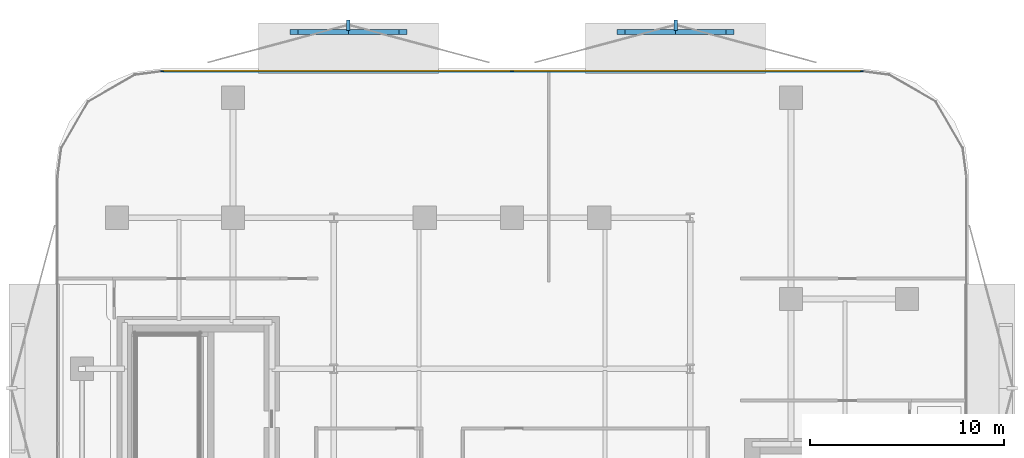
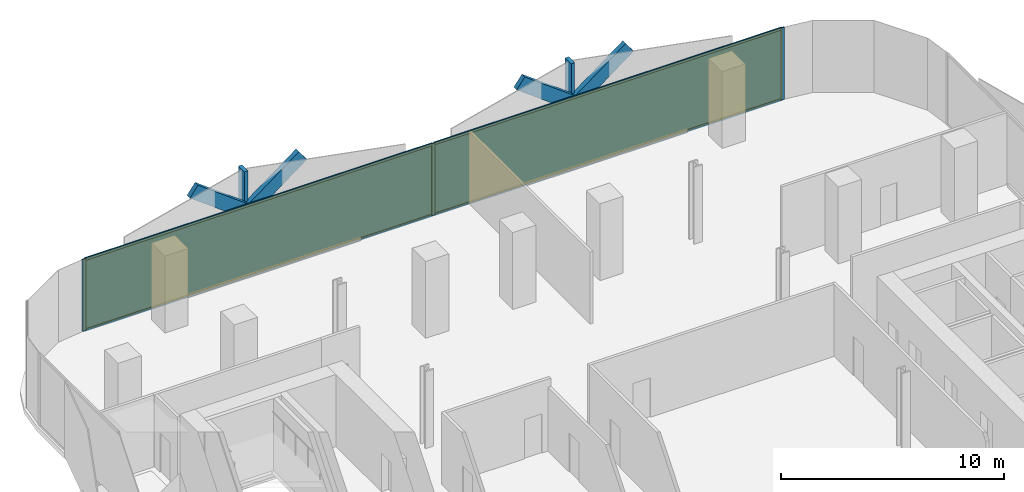
# One storey, part 10 of 16: 13 members, 2 plates, 1 curtain wall.
"""IFC4 building model written with IfcOpenShell, lengths in metres."""

from ifc_helpers import new_model, si_unit, direction, frame, frame_2d, origin, origin_2d, place, context, subcontext, project, spatial, rectangle, extrude, material, layer, layer_set, material_profile, profile_set, type_object, element, aggregate, save


model = new_model("IFC4")

# Units and contexts
model_context = context("Model", 3, precision=1e-05, world=origin(), true_north=direction((0.0, 1.0)))
body_context = subcontext(model_context, "Body", "Model", "MODEL_VIEW")
ifc_project = project(units=[si_unit("LENGTHUNIT", "METRE"), si_unit("AREAUNIT", "SQUARE_METRE"), si_unit("VOLUMEUNIT", "CUBIC_METRE"), si_unit("PLANEANGLEUNIT", "RADIAN"), si_unit("MASSUNIT", "GRAM", prefix="KILO")], contexts=[model_context])

# Member
ifc_material_1 = material(Name="Anodised Bronze Aluminium 6063-T6", Category="aluminium")
ifc_material_profile_1 = material_profile(ifc_material_1, rectangle(XDim=0.260009765625, YDim=0.699951171875, at=origin_2d()))
ifc_profile_set_1 = profile_set([ifc_material_profile_1], Name="Anodised Bronze Aluminium 6063-T6")
member_type_1 = type_object("IfcMemberType", Name="Bronze Diamond Solar-Screen Lattice Rib BDL-700", PredefinedType="MULLION", material=ifc_profile_set_1)
site_placement = place(None, origin())
building_placement = place(site_placement, origin())
storey_placement = place(building_placement, frame((0.0, 0.0, 97.39990234375)))
member_1_placement = place(storey_placement, frame((-11.260498046875, 28.199951171875, -0.1298828125), z_axis=(0.80154474731, 0.0, 0.597934794154), x_axis=(0.0, 1.0, 0.0)))
member_1 = element("IfcMember", 1, at=member_1_placement, type_object=member_type_1, Name="L22 Bronze Diamond Solar Screen Lattice Rib 125A", PredefinedType="MULLION", context=body_context, shape_type="SweptSolid", body=[
    extrude(rectangle(XDim=0.260009765625, YDim=0.699951171875, at=origin_2d()), origin(), (0.0, 0.0, 1.0), 7.024169921875),
])

member_2_placement = place(storey_placement, frame((-5.63037109375, 28.199951171875, -0.1298828125), z_axis=(-0.80154474731, 0.0, 0.597934794154), x_axis=(0.0, -1.0, 0.0)))
member_2 = element("IfcMember", 2, at=member_2_placement, type_object=member_type_1, Name="L22 Bronze Diamond Solar Screen Lattice Rib 125B", PredefinedType="MULLION", context=body_context, shape_type="SweptSolid", body=[
    extrude(rectangle(XDim=0.260009765625, YDim=0.699951171875, at=origin_2d()), origin(), (0.0, 0.0, 1.0), 7.024169921875),
])

member_3_placement = place(storey_placement, frame((5.63037109375, 28.199951171875, -0.1298828125), z_axis=(0.80154474731, 0.0, 0.597934794154), x_axis=(0.0, 1.0, 0.0)))
member_3 = element("IfcMember", 3, at=member_3_placement, type_object=member_type_1, Name="L22 Bronze Diamond Solar Screen Lattice Rib 126A", PredefinedType="MULLION", context=body_context, shape_type="SweptSolid", body=[
    extrude(rectangle(XDim=0.260009765625, YDim=0.699951171875, at=origin_2d()), origin(), (0.0, 0.0, 1.0), 7.024169921875),
])

member_4_placement = place(storey_placement, frame((11.260498046875, 28.199951171875, -0.1298828125), z_axis=(-0.80154474731, 0.0, 0.597934794154), x_axis=(0.0, -1.0, 0.0)))
member_4 = element("IfcMember", 4, at=member_4_placement, type_object=member_type_1, Name="L22 Bronze Diamond Solar Screen Lattice Rib 126B", PredefinedType="MULLION", context=body_context, shape_type="SweptSolid", body=[
    extrude(rectangle(XDim=0.260009765625, YDim=0.699951171875, at=origin_2d()), origin(), (0.0, 0.0, 1.0), 7.024169921875),
])

ifc_material_2 = material(Name="Anodised Bronze Aluminium 6063-T6", Category="aluminium")
ifc_material_profile_2 = material_profile(ifc_material_2, rectangle(XDim=0.179931640625, YDim=0.5400390625, at=origin_2d()))
ifc_profile_set_2 = profile_set([ifc_material_profile_2], Name="Anodised Bronze Aluminium 6063-T6")
member_type_2 = type_object("IfcMemberType", Name="Bronze Solar-Screen Vertical Fold Fin BSF-540", PredefinedType="MULLION", material=ifc_profile_set_2)
member_5_placement = place(storey_placement, frame((-8.4453125, 28.5400390625, -0.1298828125), z_axis=(0.0, 0.0, 1.0), x_axis=(1.0, 0.0, 0.0)))
member_5 = element("IfcMember", 5, at=member_5_placement, type_object=member_type_2, Name="L22 Bronze Solar Screen Vertical Fin 125", PredefinedType="MULLION", context=body_context, shape_type="SweptSolid", body=[
    extrude(rectangle(XDim=0.179931640625, YDim=0.5400390625, at=origin_2d()), origin(), (0.0, 0.0, 1.0), 4.199951171875),
])

member_6_placement = place(storey_placement, frame((8.4453125, 28.5400390625, -0.1298828125), z_axis=(0.0, 0.0, 1.0), x_axis=(1.0, 0.0, 0.0)))
member_6 = element("IfcMember", 6, at=member_6_placement, type_object=member_type_2, Name="L22 Bronze Solar Screen Vertical Fin 126", PredefinedType="MULLION", context=body_context, shape_type="SweptSolid", body=[
    extrude(rectangle(XDim=0.179931640625, YDim=0.5400390625, at=origin_2d()), origin(), (0.0, 0.0, 1.0), 4.199951171875),
])

ifc_material_3 = material(Name="Anodised Bronze Aluminium 6063-T6", Category="aluminium")
ifc_material_profile_3 = material_profile(ifc_material_3, rectangle(XDim=0.06494140625, YDim=0.175048828125, at=origin_2d()))
ifc_profile_set_3 = profile_set([ifc_material_profile_3], Name="Anodised Bronze Aluminium 6063-T6")
member_type_3 = type_object("IfcMemberType", Name="CW-Z2 Mullion 65x175", PredefinedType="MULLION", material=ifc_profile_set_3)
member_7_placement = place(storey_placement, frame((-18.058349609375, 26.159912109375, 0.0), z_axis=(0.0, 0.0, 1.0), x_axis=(0.0, 1.0, 0.0)))
member_7 = element("IfcMember", 7, at=member_7_placement, type_object=member_type_3, Name="CW-Z2 mullion 1", PredefinedType="MULLION", context=body_context, shape_type="SweptSolid", body=[
    extrude(rectangle(XDim=0.06494140625, YDim=0.175048828125, at=origin_2d()), origin(), (0.0, 0.0, 1.0), 3.940185546875),
])

member_8_placement = place(storey_placement, frame((0.0, 26.159912109375, 0.0), z_axis=(0.0, 0.0, 1.0), x_axis=(0.0, 1.0, 0.0)))
member_8 = element("IfcMember", 8, at=member_8_placement, type_object=member_type_3, Name="CW-Z2 mullion 2", PredefinedType="MULLION", context=body_context, shape_type="SweptSolid", body=[
    extrude(rectangle(XDim=0.06494140625, YDim=0.175048828125, at=origin_2d()), origin(), (0.0, 0.0, 1.0), 3.940185546875),
])

member_9_placement = place(storey_placement, frame((18.058349609375, 26.159912109375, 0.0), z_axis=(0.0, 0.0, 1.0), x_axis=(0.0, 1.0, 0.0)))
member_9 = element("IfcMember", 9, at=member_9_placement, type_object=member_type_3, Name="CW-Z2 mullion 3", PredefinedType="MULLION", context=body_context, shape_type="SweptSolid", body=[
    extrude(rectangle(XDim=0.06494140625, YDim=0.175048828125, at=origin_2d()), origin(), (0.0, 0.0, 1.0), 3.940185546875),
])

ifc_material_4 = material(Name="Anodised Bronze Aluminium 6063-T6", Category="aluminium")
ifc_material_profile_4 = material_profile(ifc_material_4, rectangle(XDim=0.06494140625, YDim=0.135009765625, at=origin_2d()))
ifc_profile_set_4 = profile_set([ifc_material_profile_4], Name="Anodised Bronze Aluminium 6063-T6")
member_type_4 = type_object("IfcMemberType", Name="CW-Z2 Transom 65x135", PredefinedType="USERDEFINED", material=ifc_profile_set_4)
member_10_placement = place(storey_placement, frame((-18.02587890625, 26.159912109375, 0.03271484375), z_axis=(1.0, 0.0, 0.0), x_axis=(0.0, 1.0, 0.0)))
member_10 = element("IfcMember", 10, at=member_10_placement, type_object=member_type_4, Name="CW-Z2 transom 1.1", ObjectType="TRANSOM", PredefinedType="USERDEFINED", context=body_context, shape_type="SweptSolid", body=[
    extrude(rectangle(XDim=0.06494140625, YDim=0.135009765625, at=origin_2d()), origin(), (0.0, 0.0, 1.0), 17.993408203125),
])

member_11_placement = place(storey_placement, frame((-18.02587890625, 26.159912109375, 3.90771484375), z_axis=(1.0, 0.0, 0.0), x_axis=(0.0, 1.0, 0.0)))
member_11 = element("IfcMember", 11, at=member_11_placement, type_object=member_type_4, Name="CW-Z2 transom 1.2", ObjectType="TRANSOM", PredefinedType="USERDEFINED", context=body_context, shape_type="SweptSolid", body=[
    extrude(rectangle(XDim=0.06494140625, YDim=0.135009765625, at=origin_2d()), origin(), (0.0, 0.0, 1.0), 17.993408203125),
])

member_12_placement = place(storey_placement, frame((0.032470703125, 26.159912109375, 0.03271484375), z_axis=(1.0, 0.0, 0.0), x_axis=(0.0, 1.0, 0.0)))
member_12 = element("IfcMember", 12, at=member_12_placement, type_object=member_type_4, Name="CW-Z2 transom 2.1", ObjectType="TRANSOM", PredefinedType="USERDEFINED", context=body_context, shape_type="SweptSolid", body=[
    extrude(rectangle(XDim=0.06494140625, YDim=0.135009765625, at=origin_2d()), origin(), (0.0, 0.0, 1.0), 17.993408203125),
])

member_13_placement = place(storey_placement, frame((0.032470703125, 26.159912109375, 3.90771484375), z_axis=(1.0, 0.0, 0.0), x_axis=(0.0, 1.0, 0.0)))
member_13 = element("IfcMember", 13, at=member_13_placement, type_object=member_type_4, Name="CW-Z2 transom 2.2", ObjectType="TRANSOM", PredefinedType="USERDEFINED", context=body_context, shape_type="SweptSolid", body=[
    extrude(rectangle(XDim=0.06494140625, YDim=0.135009765625, at=origin_2d()), origin(), (0.0, 0.0, 1.0), 17.993408203125),
])

# Plate
ifc_material_5 = material(Name="Low-E Solar Control Laminated Glass", Category="glass")
ifc_layer_1 = layer(ifc_material_5, 0.028076171875, Name="Low-E Solar Control Laminated Glass")
ifc_layer_set_1 = layer_set([ifc_layer_1], Name="Low-E Solar Control Laminated Glass")
plate_type = type_object("IfcPlateType", Name="CW-Z2 Low-E Double Glazed Panel 28mm", PredefinedType="CURTAIN_PANEL", material=ifc_layer_set_1)
plate_1_placement = place(storey_placement, frame((-9.029052734375, 26.159912109375, 0.065185546875), z_axis=(0.0, 0.0, 1.0), x_axis=(1.0, 0.0, 0.0)))
plate_1 = element("IfcPlate", 14, at=plate_1_placement, type_object=plate_type, Name="CW-Z2 panel 1.1", PredefinedType="CURTAIN_PANEL", context=body_context, shape_type="SweptSolid", body=[
    extrude(rectangle(XDim=17.993408203125, YDim=0.028076171875, at=origin_2d()), origin(), (0.0, 0.0, 1.0), 3.81005859375),
])

plate_2_placement = place(storey_placement, frame((9.029052734375, 26.159912109375, 0.065185546875), z_axis=(0.0, 0.0, 1.0), x_axis=(1.0, 0.0, 0.0)))
plate_2 = element("IfcPlate", 15, at=plate_2_placement, type_object=plate_type, Name="CW-Z2 panel 2.1", PredefinedType="CURTAIN_PANEL", context=body_context, shape_type="SweptSolid", body=[
    extrude(rectangle(XDim=17.993408203125, YDim=0.028076171875, at=origin_2d()), origin(), (0.0, 0.0, 1.0), 3.81005859375),
])

# Site, building, storey
site = spatial("IfcSite", under=ifc_project, at=site_placement, CompositionType="ELEMENT")
building = spatial("IfcBuilding", under=site, at=building_placement, Name="Khairoan Windgate Tower", CompositionType="ELEMENT")
storey = spatial("IfcBuildingStorey", under=building, at=storey_placement, Name="L22", CompositionType="ELEMENT", Elevation=97.39990234375)

# Curtain wall
ifc_material_6 = material(Name="Anodised Bronze Aluminium 6063-T6", Category="aluminium")
ifc_layer_2 = layer(ifc_material_6, 0.175048828125, Name="Anodised Bronze Aluminium 6063-T6")
ifc_layer_set_2 = layer_set([ifc_layer_2], Name="Anodised Bronze Aluminium 6063-T6")
curtain_wall_type = type_object("IfcCurtainWallType", Name="Mid-Rise Office Unitised Curtain Wall CW-Z2", PredefinedType="NOTDEFINED", material=ifc_layer_set_2)
curtain_wall_placement = place(storey_placement, frame((-18.0908203125, 26.159912109375, 0.0), z_axis=(0.0, 0.0, 1.0), x_axis=(1.0, 0.0, 0.0)))
curtain_wall = element("IfcCurtainWall", 16, at=curtain_wall_placement, inside=storey, type_object=curtain_wall_type, Name="L22 Unitised Curtain Wall 11", PredefinedType="NOTDEFINED", context=body_context, shape_type="SweptSolid", body=[
    extrude(rectangle(XDim=36.181640625, YDim=0.010009765625, at=frame_2d((18.0908203125, 0.0))), origin(), (0.0, 0.0, 1.0), 3.940185546875),
])

aggregate(curtain_wall, [member_7, member_8, member_9, member_10, member_11, plate_1, member_12, member_13, plate_2, member_1, member_2, member_5, member_3, member_4, member_6])

save(model, "model.ifc")
